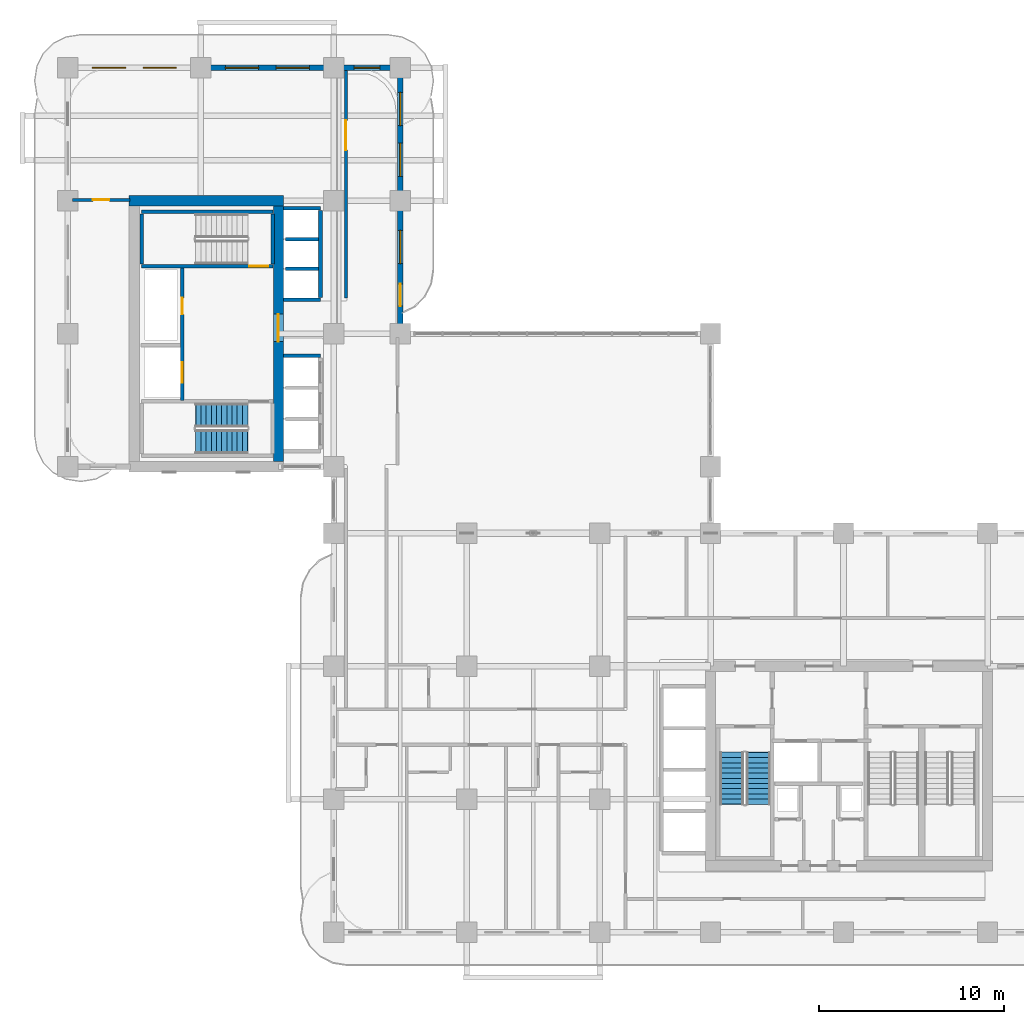
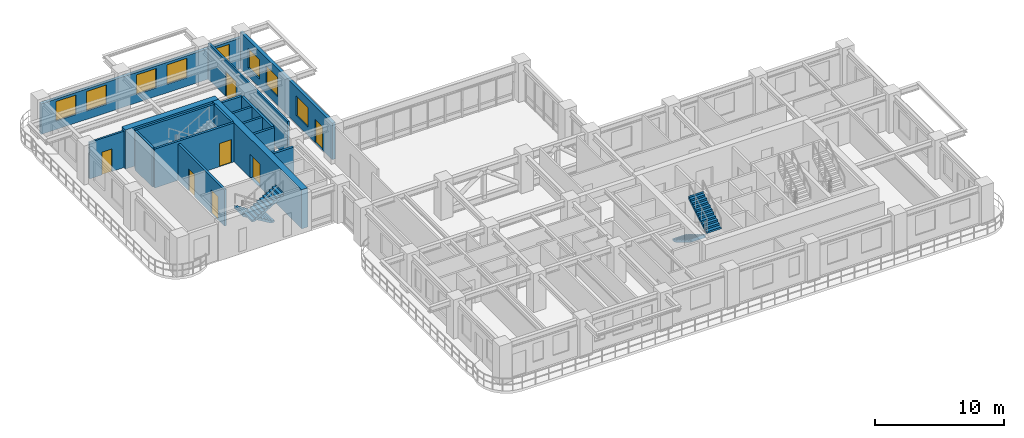
# One storey, part 15 of 21: 17 walls, 8 windows, 7 doors, 4 stair flights, 15 openings, 2 elements without a shape of their own.
"""IFC4 building model written with IfcOpenShell, lengths in metres."""

from ifc_helpers import new_model, si_unit, derived_unit, direction, frame, frame_2d, origin, place, context, subcontext, project, spatial, polyline, rectangle, outline, extrude, source, transform, mapped, material, layer, layer_set, type_object, type_shapes, element, fill, aggregate, save


model = new_model("IFC4")

# Units and contexts
model_context = context("Model", 3, precision=1e-05, world=origin(), true_north=direction((0.0, 1.0)))
body_context = subcontext(model_context, "Body", "Model", "MODEL_VIEW")
ifc_project = project(units=[si_unit("LENGTHUNIT", "METRE"), si_unit("AREAUNIT", "SQUARE_METRE"), si_unit("VOLUMEUNIT", "CUBIC_METRE"), si_unit("PLANEANGLEUNIT", "RADIAN"), si_unit("MASSUNIT", "GRAM", prefix="KILO"), si_unit("THERMODYNAMICTEMPERATUREUNIT", "KELVIN"), si_unit("POWERUNIT", "WATT"), derived_unit("THERMALTRANSMITTANCEUNIT", [(si_unit("POWERUNIT", "WATT"), 1), (si_unit("AREAUNIT", "SQUARE_METRE"), -1), (si_unit("THERMODYNAMICTEMPERATUREUNIT", "KELVIN"), -1)])], contexts=[model_context])

# Site, building, storey
site_placement = place(None, origin())
site = spatial("IfcSite", under=ifc_project, at=site_placement, CompositionType="ELEMENT")
building_placement = place(site_placement, origin())
building = spatial("IfcBuilding", under=site, at=building_placement, Name="Zahravan Archway Hotel and Residences", CompositionType="ELEMENT")
storey_placement = place(building_placement, frame((0.0, 0.0, 65.699951171875)))
storey = spatial("IfcBuildingStorey", under=building, at=storey_placement, Name="L15", CompositionType="ELEMENT", Elevation=65.699951171875)

# Wall
ifc_material_1 = material(Name="Concrete C70/85", Category="concrete")
ifc_layer_1 = layer(ifc_material_1, 0.550048828125, Name="Concrete C70/85", Category="concrete")
ifc_layer_set_1 = layer_set([ifc_layer_1], Name="Concrete C70/85")
wall_type_1 = type_object("IfcWallType", Name="CW-CORE-550", PredefinedType="SHEAR", material=ifc_layer_set_1)
wall_1_placement = place(storey_placement, frame((3.324951171875, 39.60009765625, 0.0), z_axis=(0.0, 0.0, 1.0), x_axis=(1.0, 0.0, 0.0)))
element("IfcWall", 1, at=wall_1_placement, inside=storey, type_object=wall_type_1, Name="L15 Core B Shear N Wall 550 mm", PredefinedType="SHEAR", context=body_context, shape_type="SweptSolid", body=[
    extrude(rectangle(XDim=8.35009765625, YDim=0.550048828125, at=frame_2d((4.175048828125, 0.0))), origin(), (0.0, 0.0, 1.0), 3.699951171875),
])

# Wall, opening, door
wall_2_placement = place(storey_placement, frame((11.39990234375, 25.47509765625, 0.0), z_axis=(0.0, 0.0, 1.0), x_axis=(0.0, 1.0, 0.0)))
wall_2 = element("IfcWall", 2, at=wall_2_placement, inside=storey, type_object=wall_type_1, Name="L15 Core B Shear E Wall 550 mm", PredefinedType="SHEAR", context=body_context, shape_type="SweptSolid", body=[
    extrude(rectangle(XDim=13.849853515625, YDim=0.550048828125, at=frame_2d((6.9248046875, 0.0))), origin(), (0.0, 0.0, 1.0), 3.699951171875),
])
opening_1_placement = place(wall_2_placement, frame((6.4951171875, 0.0, 0.0)))
opening_1 = element("IfcOpeningElement", 3, at=opening_1_placement, cuts=wall_2, Name="Opening FD-L1", PredefinedType="OPENING", context=body_context, shape_type="SweptSolid", body=[
    extrude(rectangle(XDim=1.5, YDim=2.199951171875, at=frame_2d((0.75, 1.10009765625))), frame((0.0, 0.28515625, 0.0), z_axis=(0.0, -1.0, 0.0), x_axis=(1.0, 0.0, 0.0)), (0.0, 0.0, 1.0), 0.570068359375),
])
ifc_material_2 = material(Name="Fire-Rated Painted Steel", Category="steel")
door_type_1 = type_object("IfcDoorType", Name="FD-LOBBY-1500", OperationType="DOUBLE_DOOR_SINGLE_SWING", PredefinedType="DOOR", material=ifc_material_2)
shared_shape_1 = source(origin(), body_context, "Body", "SweptSolid", [
    extrude(rectangle(XDim=1.5, YDim=2.199951171875, at=frame_2d((0.75, 1.10009765625))), frame((0.0, 0.02490234375, 0.0), z_axis=(0.0, -1.0, 0.0), x_axis=(1.0, 0.0, 0.0)), (0.0, 0.0, 1.0), 0.050048828125),
])
type_shapes(door_type_1, [shared_shape_1])
door_1_placement = place(opening_1_placement, origin())
door_1 = element("IfcDoor", 4, at=door_1_placement, inside=storey, type_object=door_type_1, Name="L15 Core B FSAE Lobby Door", OperationType="DOUBLE_DOOR_SINGLE_SWING", OverallHeight=2.199951171875, OverallWidth=1.5, PredefinedType="DOOR", context=body_context, shape_type="MappedRepresentation", body=[
    mapped(shared_shape_1, transform((0.0, 0.0, 0.0), scale=1.0)),
])
fill(opening_1, door_1)

# Wall, openings, windows
ifc_material_3 = material(Name="Honed Red-Ochre Sandstone & Insulated Block", Category="masonry")
ifc_layer_2 = layer(ifc_material_3, 0.280029296875, Name="Honed Red-Ochre Sandstone & Insulated Block", Category="masonry")
ifc_layer_set_2 = layer_set([ifc_layer_2], Name="Honed Red-Ochre Sandstone & Insulated Block")
wall_type_2 = type_object("IfcWallType", Name="EW-LOG-280", PredefinedType="SOLIDWALL", material=ifc_layer_set_2)
wall_3_placement = place(storey_placement, frame((0.0, 46.800048828125, 0.0), z_axis=(0.0, 0.0, 1.0), x_axis=(1.0, 0.0, 0.0)))
wall_3 = element("IfcWall", 5, at=wall_3_placement, inside=storey, type_object=wall_type_2, Name="L15 Exterior Sandstone Wall WB-N", PredefinedType="SOLIDWALL", context=body_context, shape_type="SweptSolid", body=[
    extrude(rectangle(XDim=18.0, YDim=0.280029296875, at=frame_2d((9.0, 0.0))), origin(), (0.0, 0.0, 1.0), 2.885009765625),
])
opening_2_placement = place(wall_3_placement, frame((1.324951171875, 0.0, 0.800048828125)))
opening_2 = element("IfcOpeningElement", 6, at=opening_2_placement, cuts=wall_3, Name="Opening W-02", PredefinedType="OPENING", context=body_context, shape_type="SweptSolid", body=[
    extrude(rectangle(XDim=1.800048828125, YDim=1.85009765625, at=frame_2d((0.89990234375, 0.925048828125))), frame((0.0, 0.14990234375, 0.0), z_axis=(0.0, -1.0, 0.0), x_axis=(1.0, 0.0, 0.0)), (0.0, 0.0, 1.0), 0.300048828125),
])
opening_3_placement = place(wall_3_placement, frame((4.074951171875, 0.0, 0.800048828125)))
opening_3 = element("IfcOpeningElement", 7, at=opening_3_placement, cuts=wall_3, Name="Opening W-02", PredefinedType="OPENING", context=body_context, shape_type="SweptSolid", body=[
    extrude(rectangle(XDim=1.800048828125, YDim=1.85009765625, at=frame_2d((0.89990234375, 0.925048828125))), frame((0.0, 0.14990234375, 0.0), z_axis=(0.0, -1.0, 0.0), x_axis=(1.0, 0.0, 0.0)), (0.0, 0.0, 1.0), 0.300048828125),
])
opening_4_placement = place(wall_3_placement, frame((8.52490234375, 0.0, 0.800048828125)))
opening_4 = element("IfcOpeningElement", 8, at=opening_4_placement, cuts=wall_3, Name="Opening W-02", PredefinedType="OPENING", context=body_context, shape_type="SweptSolid", body=[
    extrude(rectangle(XDim=1.800048828125, YDim=1.85009765625, at=frame_2d((0.89990234375, 0.925048828125))), frame((0.0, 0.14990234375, 0.0), z_axis=(0.0, -1.0, 0.0), x_axis=(1.0, 0.0, 0.0)), (0.0, 0.0, 1.0), 0.300048828125),
])
opening_5_placement = place(wall_3_placement, frame((11.27490234375, 0.0, 0.800048828125)))
opening_5 = element("IfcOpeningElement", 9, at=opening_5_placement, cuts=wall_3, Name="Opening W-02", PredefinedType="OPENING", context=body_context, shape_type="SweptSolid", body=[
    extrude(rectangle(XDim=1.800048828125, YDim=1.85009765625, at=frame_2d((0.89990234375, 0.925048828125))), frame((0.0, 0.14990234375, 0.0), z_axis=(0.0, -1.0, 0.0), x_axis=(1.0, 0.0, 0.0)), (0.0, 0.0, 1.0), 0.300048828125),
])
opening_6_placement = place(wall_3_placement, frame((15.5, 0.0, 0.800048828125)))
opening_6 = element("IfcOpeningElement", 10, at=opening_6_placement, cuts=wall_3, Name="Opening W-03", PredefinedType="OPENING", context=body_context, shape_type="SweptSolid", body=[
    extrude(rectangle(XDim=1.39990234375, YDim=1.85009765625, at=frame_2d((0.699951171875, 0.925048828125))), frame((0.0, 0.14990234375, 0.0), z_axis=(0.0, -1.0, 0.0), x_axis=(1.0, 0.0, 0.0)), (0.0, 0.0, 1.0), 0.300048828125),
])
ifc_material_4 = material(Name="Bronze-Anodized Thermal-Break Aluminium & Low-E Glass", Category="aluminium")
window_type_1 = type_object("IfcWindowType", Name="WIN-TWR-1400", PartitioningType="SINGLE_PANEL", PredefinedType="WINDOW", material=ifc_material_4)
shared_shape_2 = source(origin(), body_context, "Body", "SweptSolid", [
    extrude(rectangle(XDim=1.39990234375, YDim=1.85009765625, at=frame_2d((0.699951171875, 0.925048828125))), frame((0.0, 0.030029296875, 0.0), z_axis=(0.0, -1.0, 0.0), x_axis=(1.0, 0.0, 0.0)), (0.0, 0.0, 1.0), 0.06005859375),
])
type_shapes(window_type_1, [shared_shape_2])
window_1_placement = place(opening_6_placement, origin())
window_1 = element("IfcWindow", 11, at=window_1_placement, inside=storey, type_object=window_type_1, Name="L15 Loggia Window 40", OverallHeight=1.85009765625, OverallWidth=1.39990234375, PartitioningType="SINGLE_PANEL", PredefinedType="WINDOW", context=body_context, shape_type="MappedRepresentation", body=[
    mapped(shared_shape_2, transform((0.0, 0.0, 0.0), scale=1.0)),
])
fill(opening_6, window_1)
window_type_2 = type_object("IfcWindowType", Name="WIN-TWR-1800", PartitioningType="DOUBLE_PANEL_VERTICAL", PredefinedType="WINDOW", material=ifc_material_4)
shared_shape_3 = source(origin(), body_context, "Body", "SweptSolid", [
    extrude(rectangle(XDim=1.800048828125, YDim=1.85009765625, at=frame_2d((0.89990234375, 0.925048828125))), frame((0.0, 0.030029296875, 0.0), z_axis=(0.0, -1.0, 0.0), x_axis=(1.0, 0.0, 0.0)), (0.0, 0.0, 1.0), 0.06005859375),
])
type_shapes(window_type_2, [shared_shape_3])
window_2_placement = place(opening_2_placement, origin())
window_2 = element("IfcWindow", 12, at=window_2_placement, inside=storey, type_object=window_type_2, Name="L15 Loggia Window 36", OverallHeight=1.85009765625, OverallWidth=1.800048828125, PartitioningType="DOUBLE_PANEL_VERTICAL", PredefinedType="WINDOW", context=body_context, shape_type="MappedRepresentation", body=[
    mapped(shared_shape_3, transform((0.0, 0.0, 0.0), scale=1.0)),
])
fill(opening_2, window_2)
window_3_placement = place(opening_3_placement, origin())
window_3 = element("IfcWindow", 13, at=window_3_placement, inside=storey, type_object=window_type_2, Name="L15 Loggia Window 37", OverallHeight=1.85009765625, OverallWidth=1.800048828125, PartitioningType="DOUBLE_PANEL_VERTICAL", PredefinedType="WINDOW", context=body_context, shape_type="MappedRepresentation", body=[
    mapped(shared_shape_3, transform((0.0, 0.0, 0.0), scale=1.0)),
])
fill(opening_3, window_3)
window_4_placement = place(opening_4_placement, origin())
window_4 = element("IfcWindow", 14, at=window_4_placement, inside=storey, type_object=window_type_2, Name="L15 Loggia Window 38", OverallHeight=1.85009765625, OverallWidth=1.800048828125, PartitioningType="DOUBLE_PANEL_VERTICAL", PredefinedType="WINDOW", context=body_context, shape_type="MappedRepresentation", body=[
    mapped(shared_shape_3, transform((0.0, 0.0, 0.0), scale=1.0)),
])
fill(opening_4, window_4)
window_5_placement = place(opening_5_placement, origin())
window_5 = element("IfcWindow", 15, at=window_5_placement, inside=storey, type_object=window_type_2, Name="L15 Loggia Window 39", OverallHeight=1.85009765625, OverallWidth=1.800048828125, PartitioningType="DOUBLE_PANEL_VERTICAL", PredefinedType="WINDOW", context=body_context, shape_type="MappedRepresentation", body=[
    mapped(shared_shape_3, transform((0.0, 0.0, 0.0), scale=1.0)),
])
fill(opening_5, window_5)

# Wall, openings, door, windows
wall_4_placement = place(storey_placement, frame((18.0, 32.39990234375, 0.0), z_axis=(0.0, 0.0, 1.0), x_axis=(0.0, 1.0, 0.0)))
wall_4 = element("IfcWall", 16, at=wall_4_placement, inside=storey, type_object=wall_type_2, Name="L15 Exterior Sandstone Wall WB-EU", PredefinedType="SOLIDWALL", context=body_context, shape_type="SweptSolid", body=[
    extrude(rectangle(XDim=14.35009765625, YDim=0.280029296875, at=frame_2d((7.175048828125, 0.0))), origin(), (0.0, 0.0, 1.0), 3.449951171875),
])
opening_7_placement = place(wall_4_placement, frame((1.5, 0.0, 0.0)))
opening_7 = element("IfcOpeningElement", 17, at=opening_7_placement, cuts=wall_4, Name="Opening ED-BL1", PredefinedType="OPENING", context=body_context, shape_type="SweptSolid", body=[
    extrude(rectangle(XDim=1.199951171875, YDim=2.199951171875, at=frame_2d((0.60009765625, 1.10009765625))), frame((0.0, 0.14990234375, 0.0), z_axis=(0.0, -1.0, 0.0), x_axis=(1.0, 0.0, 0.0)), (0.0, 0.0, 1.0), 0.300048828125),
])
opening_8_placement = place(wall_4_placement, frame((3.800048828125, 0.0, 0.800048828125)))
opening_8 = element("IfcOpeningElement", 18, at=opening_8_placement, cuts=wall_4, Name="Opening W-02", PredefinedType="OPENING", context=body_context, shape_type="SweptSolid", body=[
    extrude(rectangle(XDim=1.800048828125, YDim=1.85009765625, at=frame_2d((0.89990234375, 0.925048828125))), frame((0.0, 0.14990234375, 0.0), z_axis=(0.0, -1.0, 0.0), x_axis=(1.0, 0.0, 0.0)), (0.0, 0.0, 1.0), 0.300048828125),
])
opening_9_placement = place(wall_4_placement, frame((8.52490234375, 0.0, 0.800048828125)))
opening_9 = element("IfcOpeningElement", 19, at=opening_9_placement, cuts=wall_4, Name="Opening W-02", PredefinedType="OPENING", context=body_context, shape_type="SweptSolid", body=[
    extrude(rectangle(XDim=1.800048828125, YDim=1.85009765625, at=frame_2d((0.89990234375, 0.925048828125))), frame((0.0, 0.14990234375, 0.0), z_axis=(0.0, -1.0, 0.0), x_axis=(1.0, 0.0, 0.0)), (0.0, 0.0, 1.0), 0.300048828125),
])
opening_10_placement = place(wall_4_placement, frame((11.27490234375, 0.0, 0.800048828125)))
opening_10 = element("IfcOpeningElement", 20, at=opening_10_placement, cuts=wall_4, Name="Opening W-02", PredefinedType="OPENING", context=body_context, shape_type="SweptSolid", body=[
    extrude(rectangle(XDim=1.800048828125, YDim=1.85009765625, at=frame_2d((0.89990234375, 0.925048828125))), frame((0.0, 0.14990234375, 0.0), z_axis=(0.0, -1.0, 0.0), x_axis=(1.0, 0.0, 0.0)), (0.0, 0.0, 1.0), 0.300048828125),
])
ifc_material_5 = material(Name="Bronze-Anodized Glazed Aluminium", Category="aluminium")
door_type_2 = type_object("IfcDoorType", Name="ED-BALC-1200", OperationType="SLIDING_TO_LEFT", PredefinedType="DOOR", material=ifc_material_5)
shared_shape_4 = source(origin(), body_context, "Body", "SweptSolid", [
    extrude(rectangle(XDim=1.199951171875, YDim=2.199951171875, at=frame_2d((0.60009765625, 1.10009765625))), frame((0.0, 0.02490234375, 0.0), z_axis=(0.0, -1.0, 0.0), x_axis=(1.0, 0.0, 0.0)), (0.0, 0.0, 1.0), 0.050048828125),
])
type_shapes(door_type_2, [shared_shape_4])
door_2_placement = place(opening_7_placement, origin())
door_2 = element("IfcDoor", 21, at=door_2_placement, inside=storey, type_object=door_type_2, Name="L15 Outdoor Access Sliding Door (SLB-BAL-L15-EB)", OperationType="SLIDING_TO_LEFT", OverallHeight=2.199951171875, OverallWidth=1.199951171875, PredefinedType="DOOR", context=body_context, shape_type="MappedRepresentation", body=[
    mapped(shared_shape_4, transform((0.0, 0.0, 0.0), scale=1.0)),
])
fill(opening_7, door_2)
window_6_placement = place(opening_8_placement, origin())
window_6 = element("IfcWindow", 22, at=window_6_placement, inside=storey, type_object=window_type_2, Name="L15 Loggia Window 41", OverallHeight=1.85009765625, OverallWidth=1.800048828125, PartitioningType="DOUBLE_PANEL_VERTICAL", PredefinedType="WINDOW", context=body_context, shape_type="MappedRepresentation", body=[
    mapped(shared_shape_3, transform((0.0, 0.0, 0.0), scale=1.0)),
])
fill(opening_8, window_6)
window_7_placement = place(opening_9_placement, origin())
window_7 = element("IfcWindow", 23, at=window_7_placement, inside=storey, type_object=window_type_2, Name="L15 Loggia Window 42", OverallHeight=1.85009765625, OverallWidth=1.800048828125, PartitioningType="DOUBLE_PANEL_VERTICAL", PredefinedType="WINDOW", context=body_context, shape_type="MappedRepresentation", body=[
    mapped(shared_shape_3, transform((0.0, 0.0, 0.0), scale=1.0)),
])
fill(opening_9, window_7)
window_8_placement = place(opening_10_placement, origin())
window_8 = element("IfcWindow", 24, at=window_8_placement, inside=storey, type_object=window_type_2, Name="L15 Loggia Window 43", OverallHeight=1.85009765625, OverallWidth=1.800048828125, PartitioningType="DOUBLE_PANEL_VERTICAL", PredefinedType="WINDOW", context=body_context, shape_type="MappedRepresentation", body=[
    mapped(shared_shape_3, transform((0.0, 0.0, 0.0), scale=1.0)),
])
fill(opening_10, window_8)

# Wall, opening, door
ifc_material_6 = material(Name="Fire-Rated Gypsum & Concrete Block", Category="concrete")
ifc_layer_3 = layer(ifc_material_6, 0.159912109375, Name="Fire-Rated Gypsum & Concrete Block", Category="concrete")
ifc_layer_set_3 = layer_set([ifc_layer_3], Name="Fire-Rated Gypsum & Concrete Block")
wall_type_3 = type_object("IfcWallType", Name="PW-CORR-160", PredefinedType="PARTITIONING", material=ifc_layer_set_3)
wall_5_placement = place(storey_placement, frame((15.050048828125, 34.340087890625, 0.0), z_axis=(0.0, 0.0, 1.0), x_axis=(0.0, 1.0, 0.0)))
wall_5 = element("IfcWall", 25, at=wall_5_placement, inside=storey, type_object=wall_type_3, Name="L15 Partition WBN-C", PredefinedType="PARTITIONING", context=body_context, shape_type="SweptSolid", body=[
    extrude(rectangle(XDim=12.31201171875, YDim=0.159912109375, at=frame_2d((6.156005859375, 0.0))), origin(), (0.0, 0.0, 1.0), 3.449951171875),
])
opening_11_placement = place(wall_5_placement, frame((8.010009765625, 0.0, 0.0)))
opening_11 = element("IfcOpeningElement", 26, at=opening_11_placement, cuts=wall_5, Name="Opening D-P2", PredefinedType="OPENING", context=body_context, shape_type="SweptSolid", body=[
    extrude(rectangle(XDim=1.60009765625, YDim=2.39990234375, at=frame_2d((0.800048828125, 1.199951171875))), frame((0.0, 0.08984375, 0.0), z_axis=(0.0, -1.0, 0.0), x_axis=(1.0, 0.0, 0.0)), (0.0, 0.0, 1.0), 0.179931640625),
])
door_type_3 = type_object("IfcDoorType", Name="ID-PUBLIC-1600", OperationType="DOUBLE_DOOR_SINGLE_SWING", PredefinedType="DOOR", material=ifc_material_5)
shared_shape_5 = source(origin(), body_context, "Body", "SweptSolid", [
    extrude(rectangle(XDim=1.60009765625, YDim=2.39990234375, at=frame_2d((0.800048828125, 1.199951171875))), frame((0.0, 0.02490234375, 0.0), z_axis=(0.0, -1.0, 0.0), x_axis=(1.0, 0.0, 0.0)), (0.0, 0.0, 1.0), 0.050048828125),
])
type_shapes(door_type_3, [shared_shape_5])
door_3_placement = place(opening_11_placement, origin())
door_3 = element("IfcDoor", 27, at=door_3_placement, inside=storey, type_object=door_type_3, Name="L15 North Wing Spa Salon Door", OperationType="DOUBLE_DOOR_SINGLE_SWING", OverallHeight=2.39990234375, OverallWidth=1.60009765625, PredefinedType="DOOR", context=body_context, shape_type="MappedRepresentation", body=[
    mapped(shared_shape_5, transform((0.0, 0.0, 0.0), scale=1.0)),
])
fill(opening_11, door_3)

# Wall, openings, doors
ifc_layer_4 = layer(ifc_material_6, 0.199951171875, Name="Fire-Rated Gypsum & Concrete Block", Category="concrete")
ifc_layer_set_4 = layer_set([ifc_layer_4], Name="Fire-Rated Gypsum & Concrete Block")
wall_type_4 = type_object("IfcWallType", Name="PW-SHAFT-200", PredefinedType="PARTITIONING", material=ifc_layer_set_4)
wall_6_placement = place(storey_placement, frame((6.199951171875, 28.7900390625, 0.0), z_axis=(0.0, 0.0, 1.0), x_axis=(0.0, 1.0, 0.0)))
wall_6 = element("IfcWall", 28, at=wall_6_placement, inside=storey, type_object=wall_type_4, Name="L15 Partition CB-FL3E", PredefinedType="PARTITIONING", context=body_context, shape_type="SweptSolid", body=[
    extrude(rectangle(XDim=7.219970703125, YDim=0.199951171875, at=frame_2d((3.60986328125, 0.0))), origin(), (0.0, 0.0, 1.0), 3.449951171875),
])
opening_12_placement = place(wall_6_placement, frame((4.659912109375, 0.0, 0.0)))
opening_12 = element("IfcOpeningElement", 29, at=opening_12_placement, cuts=wall_6, Name="Opening FD-R1", PredefinedType="OPENING", context=body_context, shape_type="SweptSolid", body=[
    extrude(rectangle(XDim=0.89990234375, YDim=2.10009765625, at=frame_2d((0.449951171875, 1.050048828125))), frame((0.0, 0.10986328125, 0.0), z_axis=(0.0, -1.0, 0.0), x_axis=(1.0, 0.0, 0.0)), (0.0, 0.0, 1.0), 0.219970703125),
])
opening_13_placement = place(wall_6_placement, frame((0.9599609375, 0.0, 0.0)))
opening_13 = element("IfcOpeningElement", 30, at=opening_13_placement, cuts=wall_6, Name="Opening LD", PredefinedType="OPENING", context=body_context, shape_type="SweptSolid", body=[
    extrude(rectangle(XDim=1.10009765625, YDim=2.199951171875, at=frame_2d((0.550048828125, 1.10009765625))), frame((0.0, 0.10986328125, 0.0), z_axis=(0.0, -1.0, 0.0), x_axis=(1.0, 0.0, 0.0)), (0.0, 0.0, 1.0), 0.219970703125),
])
door_type_4 = type_object("IfcDoorType", Name="FD-RISER-900", OperationType="NOTDEFINED", PredefinedType="DOOR", material=ifc_material_2)
shared_shape_6 = source(origin(), body_context, "Body", "SweptSolid", [
    extrude(rectangle(XDim=0.89990234375, YDim=2.10009765625, at=frame_2d((0.449951171875, 1.050048828125))), frame((0.0, 0.02490234375, 0.0), z_axis=(0.0, -1.0, 0.0), x_axis=(1.0, 0.0, 0.0)), (0.0, 0.0, 1.0), 0.050048828125),
])
type_shapes(door_type_4, [shared_shape_6])
door_4_placement = place(opening_12_placement, origin())
door_4 = element("IfcDoor", 31, at=door_4_placement, inside=storey, type_object=door_type_4, Name="L15 Core B Riser Door", OperationType="SINGLE_SWING_RIGHT", OverallHeight=2.10009765625, OverallWidth=0.89990234375, PredefinedType="DOOR", context=body_context, shape_type="MappedRepresentation", body=[
    mapped(shared_shape_6, transform((0.0, 0.0, 0.0), scale=1.0)),
])
fill(opening_12, door_4)
ifc_material_7 = material(Name="Brushed Stainless Steel", Category="steel")
door_type_5 = type_object("IfcDoorType", Name="DR-LIFT-LD", OperationType="SLIDING_TO_LEFT", PredefinedType="DOOR", material=ifc_material_7)
shared_shape_7 = source(origin(), body_context, "Body", "SweptSolid", [
    extrude(rectangle(XDim=1.10009765625, YDim=2.199951171875, at=frame_2d((0.550048828125, 1.10009765625))), frame((0.0, 0.02490234375, 0.0), z_axis=(0.0, -1.0, 0.0), x_axis=(1.0, 0.0, 0.0)), (0.0, 0.0, 1.0), 0.050048828125),
])
type_shapes(door_type_5, [shared_shape_7])
door_5_placement = place(opening_13_placement, origin())
door_5 = element("IfcDoor", 32, at=door_5_placement, inside=storey, type_object=door_type_5, Name="L15 Lift FL-3 Sliding Landing Door", OperationType="SLIDING_TO_LEFT", OverallHeight=2.199951171875, OverallWidth=1.10009765625, PredefinedType="DOOR", context=body_context, shape_type="MappedRepresentation", body=[
    mapped(shared_shape_7, transform((0.0, 0.0, 0.0), scale=1.0)),
])
fill(opening_13, door_5)

# Walls
for number, where, z_axis, x_axis, name in (
    (33, (11.68505859375, 31.2099609375, 0.0), (0.0, 0.0, 1.0), (1.0, 0.0, 0.0), "L15 Partition B1-N"),
    (34, (11.68505859375, 34.25, 0.0), (0.0, 0.0, 1.0), (1.0, 0.0, 0.0), "L15 Partition B2-S"),
    (35, (11.68505859375, 39.18994140625, 0.0), (0.0, 0.0, 1.0), (1.0, 0.0, 0.0), "L15 Partition B2-N"),
):
    element("IfcWall", number, at=place(storey_placement, frame(where, z_axis=z_axis, x_axis=x_axis)), inside=storey, type_object=wall_type_4, Name=name, PredefinedType="PARTITIONING", context=body_context, shape_type="SweptSolid", body=[
        extrude(rectangle(XDim=1.98486328125, YDim=0.199951171875, at=frame_2d((0.992431640625, 0.0))), origin(), (0.0, 0.0, 1.0), 3.449951171875),
    ])
wall_7_placement = place(storey_placement, frame((13.679931640625, 34.360107421875, 0.0), z_axis=(0.0, 0.0, 1.0), x_axis=(0.0, 1.0, 0.0)))
element("IfcWall", 36, at=wall_7_placement, inside=storey, type_object=wall_type_4, Name="L15 Partition B2-E", PredefinedType="PARTITIONING", context=body_context, shape_type="SweptSolid", body=[
    extrude(rectangle(XDim=4.719970703125, YDim=0.199951171875, at=frame_2d((2.35986328125, 0.0))), origin(), (0.0, 0.0, 1.0), 3.449951171875),
])
for number, where, z_axis, x_axis, name in (
    (37, (11.784912109375, 35.919921875, 0.0), (0.0, 0.0, 1.0), (1.0, 0.0, 0.0), "L15 Partition B2-D"),
    (38, (11.784912109375, 37.52001953125, 0.0), (0.0, 0.0, 1.0), (1.0, 0.0, 0.0), "L15 Partition B2-D"),
):
    element("IfcWall", number, at=place(storey_placement, frame(where, z_axis=z_axis, x_axis=x_axis)), inside=storey, type_object=wall_type_4, Name=name, PredefinedType="PARTITIONING", context=body_context, shape_type="SweptSolid", body=[
        extrude(rectangle(XDim=1.78515625, YDim=0.199951171875, at=frame_2d((0.892578125, 0.0))), origin(), (0.0, 0.0, 1.0), 3.449951171875),
    ])

# Wall, opening, door
ifc_material_8 = material(Name="Acoustic Stud Partition")
ifc_layer_5 = layer(ifc_material_8, 0.169921875, Name="Acoustic Stud Partition")
ifc_layer_set_5 = layer_set([ifc_layer_5], Name="Acoustic Stud Partition")
wall_type_5 = type_object("IfcWallType", Name="PW-UNIT-170", PredefinedType="PARTITIONING", material=ifc_layer_set_5)
wall_8_placement = place(storey_placement, frame((0.239990234375, 39.64990234375, 0.0), z_axis=(0.0, 0.0, 1.0), x_axis=(1.0, 0.0, 0.0)))
wall_8 = element("IfcWall", 39, at=wall_8_placement, inside=storey, type_object=wall_type_5, Name="L15 Partition WBW-N", PredefinedType="PARTITIONING", context=body_context, shape_type="SweptSolid", body=[
    extrude(rectangle(XDim=3.1201171875, YDim=0.169921875, at=frame_2d((1.56005859375, 0.0))), origin(), (0.0, 0.0, 1.0), 3.449951171875),
])
opening_14_placement = place(wall_8_placement, frame((1.110107421875, 0.0, 0.0)))
opening_14 = element("IfcOpeningElement", 40, at=opening_14_placement, cuts=wall_8, Name="Opening D-I2", PredefinedType="OPENING", context=body_context, shape_type="SweptSolid", body=[
    extrude(rectangle(XDim=0.89990234375, YDim=2.14990234375, at=frame_2d((0.449951171875, 1.074951171875))), frame((0.0, 0.094970703125, 0.0), z_axis=(0.0, -1.0, 0.0), x_axis=(1.0, 0.0, 0.0)), (0.0, 0.0, 1.0), 0.18994140625),
])
ifc_material_9 = material(Name="Hardwood Veneer Timber", Category="wood")
door_type_6 = type_object("IfcDoorType", Name="ID-INT-900", OperationType="NOTDEFINED", PredefinedType="DOOR", material=ifc_material_9)
shared_shape_8 = source(origin(), body_context, "Body", "SweptSolid", [
    extrude(rectangle(XDim=0.89990234375, YDim=2.14990234375, at=frame_2d((0.449951171875, 1.074951171875))), frame((0.0, 0.02490234375, 0.0), z_axis=(0.0, -1.0, 0.0), x_axis=(1.0, 0.0, 0.0)), (0.0, 0.0, 1.0), 0.050048828125),
])
type_shapes(door_type_6, [shared_shape_8])
door_6_placement = place(opening_14_placement, origin())
door_6 = element("IfcDoor", 41, at=door_6_placement, inside=storey, type_object=door_type_6, Name="L15 West Loggia Salon Door", OperationType="SINGLE_SWING_RIGHT", OverallHeight=2.14990234375, OverallWidth=0.89990234375, PredefinedType="DOOR", context=body_context, shape_type="MappedRepresentation", body=[
    mapped(shared_shape_8, transform((0.0, 0.0, 0.0), scale=1.0)),
])
fill(opening_14, door_6)

# Walls
ifc_material_10 = material(Name="Concrete C50/60", Category="concrete")
ifc_layer_6 = layer(ifc_material_10, 0.199951171875, Name="Concrete C50/60", Category="concrete")
ifc_layer_set_6 = layer_set([ifc_layer_6], Name="Concrete C50/60")
wall_type_6 = type_object("IfcWallType", Name="SW-STAIR-200", PredefinedType="SHEAR", material=ifc_layer_set_6)
wall_9_placement = place(storey_placement, frame((4.0, 39.0, 0.0), z_axis=(0.0, 0.0, 1.0), x_axis=(1.0, 0.0, 0.0)))
element("IfcWall", 42, at=wall_9_placement, inside=storey, type_object=wall_type_6, Name="L15 Stairwell RC Wall CB-SB2N", PredefinedType="SHEAR", context=body_context, shape_type="SweptSolid", body=[
    extrude(rectangle(XDim=7.10009765625, YDim=0.199951171875, at=frame_2d((3.550048828125, 0.0))), origin(), (0.0, 0.0, 1.0), 3.699951171875),
])
for number, where, z_axis, x_axis, name in (
    (43, (4.0, 36.179931640625, 0.0), (0.0, 0.0, 1.0), (0.0, 1.0, 0.0), "L15 Stairwell RC Wall CB-SB2W"),
    (44, (11.10009765625, 36.179931640625, 0.0), (0.0, 0.0, 1.0), (0.0, 1.0, 0.0), "L15 Stairwell RC Wall CB-SB2E"),
):
    element("IfcWall", number, at=place(storey_placement, frame(where, z_axis=z_axis, x_axis=x_axis)), inside=storey, type_object=wall_type_6, Name=name, PredefinedType="SHEAR", context=body_context, shape_type="SweptSolid", body=[
        extrude(rectangle(XDim=2.699951171875, YDim=0.199951171875, at=frame_2d((1.35009765625, 0.0))), origin(), (0.0, 0.0, 1.0), 3.699951171875),
    ])

# Wall, opening, door
wall_10_placement = place(storey_placement, frame((4.0, 36.06005859375, 0.0), z_axis=(0.0, 0.0, 1.0), x_axis=(1.0, 0.0, 0.0)))
wall_10 = element("IfcWall", 45, at=wall_10_placement, inside=storey, type_object=wall_type_6, Name="L15 Stairwell RC Wall CB-SB2S", PredefinedType="SHEAR", context=body_context, shape_type="SweptSolid", body=[
    extrude(rectangle(XDim=7.10009765625, YDim=0.199951171875, at=frame_2d((3.550048828125, 0.0))), origin(), (0.0, 0.0, 1.0), 3.699951171875),
])
opening_15_placement = place(wall_10_placement, frame((5.81494140625, 0.0, 0.0)))
opening_15 = element("IfcOpeningElement", 46, at=opening_15_placement, cuts=wall_10, Name="Opening FD-S1", PredefinedType="OPENING", context=body_context, shape_type="SweptSolid", body=[
    extrude(rectangle(XDim=1.050048828125, YDim=2.199951171875, at=frame_2d((0.52490234375, 1.10009765625))), frame((0.0, 0.10986328125, 0.0), z_axis=(0.0, -1.0, 0.0), x_axis=(1.0, 0.0, 0.0)), (0.0, 0.0, 1.0), 0.219970703125),
])
door_type_7 = type_object("IfcDoorType", Name="FD-STAIR-1100", OperationType="NOTDEFINED", PredefinedType="DOOR", material=ifc_material_2)
shared_shape_9 = source(origin(), body_context, "Body", "SweptSolid", [
    extrude(rectangle(XDim=1.050048828125, YDim=2.199951171875, at=frame_2d((0.52490234375, 1.10009765625))), frame((0.0, 0.02490234375, 0.0), z_axis=(0.0, -1.0, 0.0), x_axis=(1.0, 0.0, 0.0)), (0.0, 0.0, 1.0), 0.050048828125),
])
type_shapes(door_type_7, [shared_shape_9])
door_7_placement = place(opening_15_placement, origin())
door_7 = element("IfcDoor", 47, at=door_7_placement, inside=storey, type_object=door_type_7, Name="L15 Stair ST-B2 Door", OperationType="SINGLE_SWING_LEFT", OverallHeight=2.199951171875, OverallWidth=1.050048828125, PredefinedType="DOOR", context=body_context, shape_type="MappedRepresentation", body=[
    mapped(shared_shape_9, transform((0.0, 0.0, 0.0), scale=1.0)),
])
fill(opening_15, door_7)

# Stair, stair flights
stair_type = type_object("IfcStairType", Name="STR-CORE-1300", PredefinedType="HALF_TURN_STAIR", material=ifc_material_10)
stair_1_placement = place(storey_placement, origin())
stair_1 = element("IfcStair", 48, at=stair_1_placement, inside=storey, type_object=stair_type, Name="L15 Core A Exit Stair 1", PredefinedType="HALF_TURN_STAIR")
ifc_layer_7 = layer(ifc_material_10, 0.199951171875, Name="Concrete C50/60", Category="concrete")
ifc_layer_set_7 = layer_set([ifc_layer_7], Name="Concrete C50/60")
stair_flight_type = type_object("IfcStairFlightType", Name="SFL-CORE-1300", PredefinedType="STRAIGHT", material=ifc_layer_set_7)
shared_shape_10 = source(origin(), body_context, "Body", "SweptSolid", [
    extrude(outline(polyline([(-0.01611328125, 0.0), (-0.01611328125, 0.168212890625), (0.280029296875, 0.168212890625), (0.280029296875, 0.33642578125), (0.56005859375, 0.33642578125), (0.56005859375, 0.504638671875), (0.840087890625, 0.504638671875), (0.840087890625, 0.672607421875), (1.1201171875, 0.672607421875), (1.1201171875, 0.8408203125), (1.39990234375, 0.8408203125), (1.39990234375, 1.009033203125), (1.679931640625, 1.009033203125), (1.679931640625, 1.17724609375), (1.9599609375, 1.17724609375), (1.9599609375, 1.345458984375), (2.239990234375, 1.345458984375), (2.239990234375, 1.513671875), (2.52001953125, 1.513671875), (2.52001953125, 1.681884765625), (2.800048828125, 1.681884765625), (2.800048828125, 1.85009765625), (2.816162109375, 1.85009765625), (2.816162109375, 1.5068359375), (0.291015625, 0.0), (-0.01611328125, 0.0)])), frame((0.0, 0.64990234375, 0.0), z_axis=(0.0, -1.0, 0.0), x_axis=(1.0, 0.0, 0.0)), (0.0, 0.0, 1.0), 1.300048828125),
])
stair_flight_1_placement = place(storey_placement, frame((35.949951171875, 9.72998046875, 0.0), z_axis=(0.0, 0.0, 1.0), x_axis=(0.0, -1.0, 0.0)))
stair_flight_1 = element("IfcStairFlight", 49, at=stair_flight_1_placement, type_object=stair_flight_type, Name="ST-A1 flight 1", NumberOfRisers=11, NumberOfTreads=10, PredefinedType="STRAIGHT", RiserHeight=0.168181818, TreadLength=0.28, context=body_context, shape_type="MappedRepresentation", body=[
    mapped(shared_shape_10, transform((0.0, 0.0, 0.0), scale=1.0)),
])
stair_flight_2_placement = place(storey_placement, frame((37.389892578125, 6.929931640625, 1.85009765625), z_axis=(0.0, 0.0, 1.0), x_axis=(0.0, 1.0, 0.0)))
stair_flight_2 = element("IfcStairFlight", 50, at=stair_flight_2_placement, type_object=stair_flight_type, Name="ST-A1 flight 2", NumberOfRisers=11, NumberOfTreads=10, PredefinedType="STRAIGHT", RiserHeight=0.168181818, TreadLength=0.28, context=body_context, shape_type="MappedRepresentation", body=[
    mapped(shared_shape_10, transform((0.0, 0.0, 0.0), scale=1.0)),
])
aggregate(stair_1, [stair_flight_1, stair_flight_2])

stair_2_placement = place(storey_placement, origin())
stair_2 = element("IfcStair", 51, at=stair_2_placement, inside=storey, type_object=stair_type, Name="L15 Core B Exit Stair 1", PredefinedType="HALF_TURN_STAIR")
stair_flight_3_placement = place(storey_placement, frame((9.72998046875, 27.989990234375, 0.0), z_axis=(0.0, 0.0, 1.0), x_axis=(-1.0, 0.0, 0.0)))
stair_flight_3 = element("IfcStairFlight", 52, at=stair_flight_3_placement, type_object=stair_flight_type, Name="ST-B1 flight 1", NumberOfRisers=11, NumberOfTreads=10, PredefinedType="STRAIGHT", RiserHeight=0.168181818, TreadLength=0.28, context=body_context, shape_type="MappedRepresentation", body=[
    mapped(shared_shape_10, transform((0.0, 0.0, 0.0), scale=1.0)),
])
stair_flight_4_placement = place(storey_placement, frame((6.929931640625, 26.550048828125, 1.85009765625), z_axis=(0.0, 0.0, 1.0), x_axis=(1.0, 0.0, 0.0)))
stair_flight_4 = element("IfcStairFlight", 53, at=stair_flight_4_placement, type_object=stair_flight_type, Name="ST-B1 flight 2", NumberOfRisers=11, NumberOfTreads=10, PredefinedType="STRAIGHT", RiserHeight=0.168181818, TreadLength=0.28, context=body_context, shape_type="MappedRepresentation", body=[
    mapped(shared_shape_10, transform((0.0, 0.0, 0.0), scale=1.0)),
])
aggregate(stair_2, [stair_flight_3, stair_flight_4])

save(model, "model.ifc")
